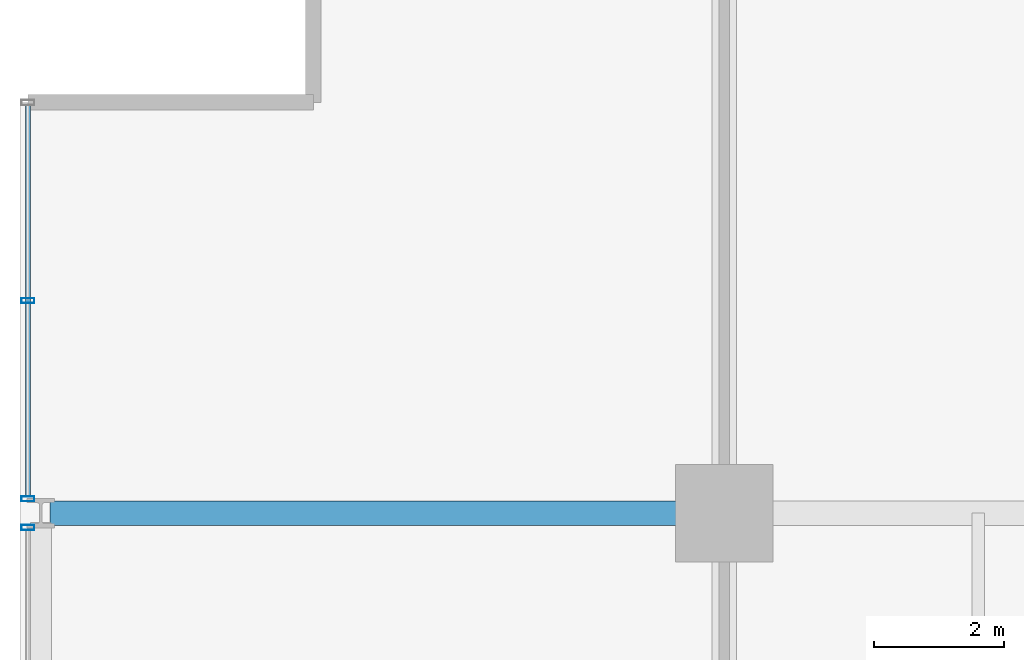
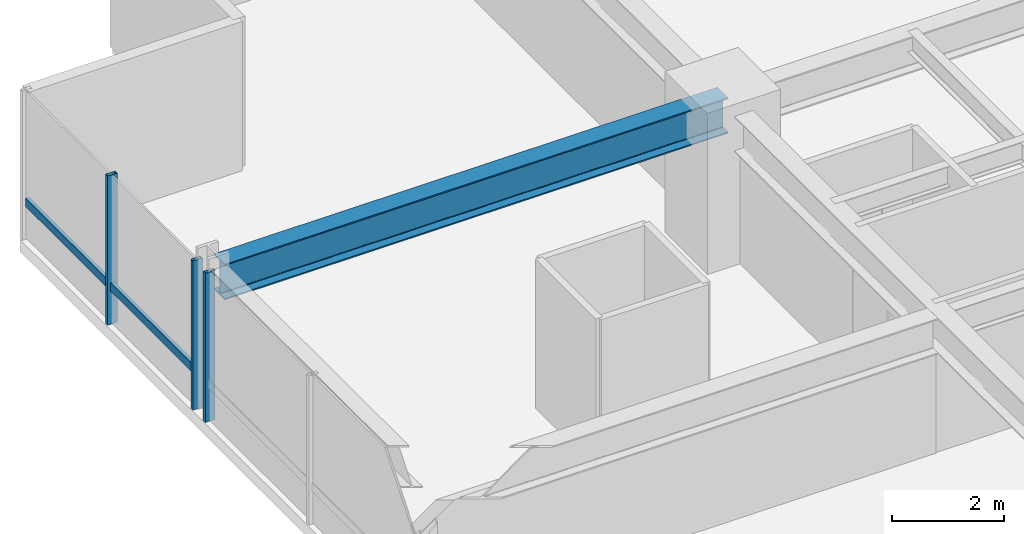
# One storey, part 18 of 34: 4 members, 1 beam, 2 elements without a shape of their own.
"""IFC4 building model written with IfcOpenShell, lengths in metres."""

import ifcopenshell
import ifcopenshell.guid

model = None  # the IFC model being written
_history = None  # IfcOwnerHistory: only IFC2X3 demands one
_inside = {}  # id of a spatial element -> (the spatial element, [elements in it])
_under = {}  # id of a project, library or spatial element -> (it, [spatial elements below it])
_declared = {}  # id of a project -> (the project, [libraries it declares])
_typed = {}  # id of a type object -> (the type object, [elements of that type])
_made_of = {}  # id of a material, layer set ... -> (it, [elements and type objects made of it])


def new_model(schema):
    """Start an empty IFC model of exactly this schema.

    Asked for "IFC4X3", IfcOpenShell would pick the latest addendum, in which some entities
    have other attributes; the version numbers below select the first issue.
    IFC2X3 requires an IfcOwnerHistory on every rooted entity: one is made here for all.
    """
    global model, _history
    if schema == "IFC4X3":
        model = ifcopenshell.file(schema_version=(4, 3, 0, 0))
    else:
        model = ifcopenshell.file(schema=schema)
    _inside.clear()
    _under.clear()
    _declared.clear()
    _typed.clear()
    _made_of.clear()
    _history = None
    if model.schema == "IFC2X3":
        org = make("IfcOrganization", Name="unknown")
        user = make(
            "IfcPersonAndOrganization",
            ThePerson=make("IfcPerson", FamilyName="unknown"),
            TheOrganization=org,
        )
        app = make(
            "IfcApplication",
            ApplicationDeveloper=org,
            Version="unknown",
            ApplicationFullName="unknown",
            ApplicationIdentifier="unknown",
        )
        _history = make(
            "IfcOwnerHistory",
            OwningUser=user,
            OwningApplication=app,
            ChangeAction="ADDED",
            CreationDate=0,
        )
    return model


def make(cls, **values):
    """One entity of the class cls with the attributes given. An attribute that is None is left unset."""
    return model.create_entity(
        cls, **{name: value for name, value in values.items() if value is not None}
    )


def rooted(cls, **values):
    """An entity with a GlobalId (a new one), such as an element, a storey or a relation."""
    return make(cls, GlobalId=ifcopenshell.guid.new(), OwnerHistory=_history, **values)


def si_unit(unit_type, name, prefix=None):
    """IfcSIUnit, for example si_unit("LENGTHUNIT", "METRE", prefix="MILLI")."""
    return make("IfcSIUnit", UnitType=unit_type, Prefix=prefix, Name=name)


def assignment(units):
    """IfcUnitAssignment: the units of a project."""
    return None if units is None else make("IfcUnitAssignment", Units=units)


def point(xyz):
    """IfcCartesianPoint."""
    return None if xyz is None else make("IfcCartesianPoint", Coordinates=xyz)


def direction(xyz):
    """IfcDirection."""
    return None if xyz is None else make("IfcDirection", DirectionRatios=xyz)


def frame(location, z_axis=None, x_axis=None):
    """IfcAxis2Placement3D, a coordinate frame: its origin and axes. An axis left out is left unset."""
    return make(
        "IfcAxis2Placement3D",
        Location=point(location),
        Axis=direction(z_axis),
        RefDirection=direction(x_axis),
    )


def frame_2d(location, x_axis=None):
    """IfcAxis2Placement2D, a coordinate frame in the plane: its origin and x axis."""
    return make(
        "IfcAxis2Placement2D", Location=point(location), RefDirection=direction(x_axis)
    )


def origin():
    """The frame at (0, 0, 0) with its axes left unset."""
    return frame((0.0, 0.0, 0.0))


def origin_2d():
    """The frame at (0, 0) in the plane with its x axis left unset."""
    return frame_2d((0.0, 0.0))


def place(relative_to, where):
    """IfcLocalPlacement: puts the frame where relative to a parent placement (None: the world)."""
    return make(
        "IfcLocalPlacement", PlacementRelTo=relative_to, RelativePlacement=where
    )


def context(
    kind, dimensions, precision=None, world=None, true_north=None, identifier=None
):
    """IfcGeometricRepresentationContext, for example the 3D "Model" context."""
    return make(
        "IfcGeometricRepresentationContext",
        ContextIdentifier=identifier,
        ContextType=kind,
        CoordinateSpaceDimension=dimensions,
        Precision=precision,
        WorldCoordinateSystem=world,
        TrueNorth=true_north,
    )


def subcontext(parent, identifier, kind, view, scale=None):
    """IfcGeometricRepresentationSubContext, for example "Body" below "Model"."""
    return make(
        "IfcGeometricRepresentationSubContext",
        ContextIdentifier=identifier,
        ContextType=kind,
        ParentContext=parent,
        TargetScale=scale,
        TargetView=view,
    )


def project(units=None, contexts=None):
    """IfcProject with its units and contexts."""
    return rooted(
        "IfcProject",
        Name="project",
        RepresentationContexts=contexts,
        UnitsInContext=assignment(units),
    )


def spatial(cls, under=None, at=None, **own):
    """A site, building, storey or space (cls), placed at a placement, below another one or the project."""
    s = rooted(cls, ObjectPlacement=at, **own)
    if under is not None:
        _under.setdefault(under.id(), (under, []))[1].append(s)
    return s


def profile(cls, at=None, kind="AREA", **sizes):
    """A parametric profile (cls). Its sizes go by their IFC names, for example OverallWidth=200.0."""
    return make(cls, ProfileType=kind, Position=at, **sizes)


def hollow_rectangle(**sizes):
    """IfcRectangleHollowProfileDef."""
    return profile("IfcRectangleHollowProfileDef", **sizes)


def i_section(**sizes):
    """IfcIShapeProfileDef."""
    return profile("IfcIShapeProfileDef", **sizes)


def extrude(swept, where, along, depth):
    """IfcExtrudedAreaSolid: the profile swept, set in the frame where, extruded along a direction by depth."""
    return make(
        "IfcExtrudedAreaSolid",
        SweptArea=swept,
        Position=where,
        ExtrudedDirection=direction(along),
        Depth=depth,
    )


def shape(context_of_items, identifier, shape_type, items):
    """IfcShapeRepresentation: the items that make up one representation, for example the "Body"."""
    return make(
        "IfcShapeRepresentation",
        ContextOfItems=context_of_items,
        RepresentationIdentifier=identifier,
        RepresentationType=shape_type,
        Items=items,
    )


def material(Name=None, Category=None):
    """IfcMaterial."""
    return make("IfcMaterial", Name=Name, Category=Category)


def layer(
    of_material, thickness, ventilated=None, Name=None, Category=None, Priority=None
):
    """IfcMaterialLayer: one layer of a wall or slab, of a material (None: an air gap)."""
    return make(
        "IfcMaterialLayer",
        Material=of_material,
        LayerThickness=thickness,
        IsVentilated=ventilated,
        Name=Name,
        Category=Category,
        Priority=Priority,
    )


def layer_set(layers, Name=None):
    """IfcMaterialLayerSet."""
    return make("IfcMaterialLayerSet", MaterialLayers=layers, LayerSetName=Name)


def material_profile(
    of_material, cross_section, Name=None, Category=None, Priority=None
):
    """IfcMaterialProfile: a cross section and its material."""
    return make(
        "IfcMaterialProfile",
        Name=Name,
        Material=of_material,
        Profile=cross_section,
        Priority=Priority,
        Category=Category,
    )


def profile_set(profiles, Name=None, composite=None):
    """IfcMaterialProfileSet."""
    return make(
        "IfcMaterialProfileSet",
        Name=Name,
        MaterialProfiles=profiles,
        CompositeProfile=composite,
    )


def made_of(thing, what):
    """Note that an element or type object is made of a material, layer set ...; save() writes the relation."""
    if what is not None:
        _made_of.setdefault(what.id(), (what, []))[1].append(thing)
    return thing


def type_object(cls, material=None, **own):
    """A type object (cls), such as IfcWallType, which elements share."""
    return made_of(rooted(cls, **own), material)


def element(
    cls,
    number,
    at=None,
    inside=None,
    cuts=None,
    type_object=None,
    material=None,
    context=None,
    identifier="Body",
    shape_type=None,
    held_by="IfcProductDefinitionShape",
    body=None,
    shapes=None,
    **own,
):
    """One element of the class cls, such as IfcWall. Its Tag is "e" and its number.

    at: its placement. inside: the storey or other place that contains it. cuts: it is an
    opening in that element (IfcRelVoidsElement). A single representation is given by context,
    identifier, shape_type and body (its items); several are given by shapes. held_by: the class
    of the entity that holds the representations. save() writes the other relations.
    """
    e = rooted(cls, Tag="e%d" % number, ObjectPlacement=at, **own)
    if body is not None:
        shapes = [shape(context, identifier, shape_type, body)]
    if shapes is not None:
        e.Representation = make(held_by, Representations=shapes)
    if inside is not None:
        _inside.setdefault(inside.id(), (inside, []))[1].append(e)
    if cuts is not None:
        rooted(
            "IfcRelVoidsElement", RelatingBuildingElement=cuts, RelatedOpeningElement=e
        )
    if type_object is not None:
        _typed.setdefault(type_object.id(), (type_object, []))[1].append(e)
    return made_of(e, material)


def aggregate(whole, parts):
    """IfcRelAggregates: a whole, such as a stair, and the parts it consists of."""
    return rooted("IfcRelAggregates", RelatingObject=whole, RelatedObjects=parts)


def save(model, path):
    """Write the relations noted so far, then the file.

    IfcRelAggregates (storeys below a building ...), IfcRelContainedInSpatialStructure (elements
    in a storey), IfcRelDefinesByType, IfcRelAssociatesMaterial and IfcRelDeclares: one each for
    every whole, place, type object, material and project.
    """
    for whole, parts in _under.values():
        aggregate(whole, parts)
    for where, things in _inside.values():
        rooted(
            "IfcRelContainedInSpatialStructure",
            RelatedElements=things,
            RelatingStructure=where,
        )
    for kind, things in _typed.values():
        rooted("IfcRelDefinesByType", RelatedObjects=things, RelatingType=kind)
    for what, things in _made_of.values():
        rooted("IfcRelAssociatesMaterial", RelatedObjects=things, RelatingMaterial=what)
    for by, libraries in _declared.values():
        rooted("IfcRelDeclares", RelatingContext=by, RelatedDefinitions=libraries)
    model.write(path)


model = new_model("IFC4")

# Units and contexts
model_context = context("Model", 3, precision=1e-05, world=origin(), true_north=direction((0.0, 1.0)))
body_context = subcontext(model_context, "Body", "Model", "MODEL_VIEW")
ifc_project = project(units=[si_unit("LENGTHUNIT", "METRE"), si_unit("AREAUNIT", "SQUARE_METRE"), si_unit("VOLUMEUNIT", "CUBIC_METRE"), si_unit("PLANEANGLEUNIT", "RADIAN"), si_unit("MASSUNIT", "GRAM", prefix="KILO")], contexts=[model_context])

# Site, building, storey
site_placement = place(None, origin())
site = spatial("IfcSite", under=ifc_project, at=site_placement, CompositionType="ELEMENT")
building_placement = place(site_placement, origin())
building = spatial("IfcBuilding", under=site, at=building_placement, Name="Drelvath Grand Hotel", CompositionType="ELEMENT")
storey_placement = place(building_placement, frame((0.0, 0.0, 116.300048828125)))
storey = spatial("IfcBuildingStorey", under=building, at=storey_placement, Name="L29", CompositionType="ELEMENT", Elevation=116.300048828125)

# Curtain wall, member
ifc_material_1 = material(Name="Champagne Bronze Anodised Aluminium Frame", Category="aluminium")
ifc_layer = layer(ifc_material_1, 0.199951171875)
ifc_layer_set = layer_set([ifc_layer], Name="Champagne Bronze Anodised Aluminium Frame")
curtain_wall_type = type_object("IfcCurtainWallType", Name="Stick Curtain Wall CW-03 Champagne Bronze Mid-Rise", PredefinedType="NOTDEFINED", material=ifc_layer_set)
curtain_wall_1_placement = place(storey_placement, origin())
curtain_wall_1 = element("IfcCurtainWall", 1, at=curtain_wall_1_placement, inside=storey, type_object=curtain_wall_type, Name="L29 CW-03 Curtain Wall CW03-L29-WN3", PredefinedType="NOTDEFINED")
ifc_material_profile_1 = material_profile(ifc_material_1, hollow_rectangle(XDim=0.074951171875, YDim=0.179931640625, WallThickness=0.0048828125, at=origin_2d()), Name="HSS180X75X5")
ifc_profile_set_1 = profile_set([ifc_material_profile_1], Name="Champagne Bronze Anodised Aluminium Frame")
member_type_1 = type_object("IfcMemberType", Name="Curtain Wall Horizontal Transom CW-03 HSS180X75X5", PredefinedType="USERDEFINED", material=ifc_profile_set_1)
member_1_placement = place(storey_placement, frame((-26.8798828125, 43.459716796875, 0.81005859375), z_axis=(0.0, 1.0, 0.0), x_axis=(-1.0, 0.0, 0.0)))
member_1 = element("IfcMember", 2, at=member_1_placement, type_object=member_type_1, Name="CW03-L29-WN3 Sill Transom", ObjectType="TRANSOM", PredefinedType="USERDEFINED", context=body_context, shape_type="SweptSolid", body=[
    extrude(hollow_rectangle(XDim=0.074951171875, YDim=0.179931640625, WallThickness=0.0048828125, at=origin_2d()), origin(), (0.0, 0.0, 1.0), 6.000244140625),
])

curtain_wall_2_placement = place(storey_placement, origin())
curtain_wall_2 = element("IfcCurtainWall", 3, at=curtain_wall_2_placement, inside=storey, type_object=curtain_wall_type, Name="L29 CW-03 Curtain Wall CW03-L29-WN2", PredefinedType="NOTDEFINED")
ifc_material_profile_2 = material_profile(ifc_material_1, hollow_rectangle(XDim=0.080078125, YDim=0.199951171875, WallThickness=0.0048828125, at=origin_2d()), Name="HSS200X80X5")
ifc_profile_set_2 = profile_set([ifc_material_profile_2], Name="Champagne Bronze Anodised Aluminium Frame")
member_type_2 = type_object("IfcMemberType", Name="Curtain Wall Vertical Mullion CW-03 HSS200X80X5", PredefinedType="MULLION", material=ifc_profile_set_2)
member_2_placement = place(storey_placement, frame((-26.8798828125, 42.98046875, 0.0), z_axis=(0.0, 0.0, 1.0), x_axis=(0.0, 1.0, 0.0)))
member_2 = element("IfcMember", 4, at=member_2_placement, type_object=member_type_2, Name="CW03-L29-WN2 Mullion 3", PredefinedType="MULLION", context=body_context, shape_type="SweptSolid", body=[
    extrude(hollow_rectangle(XDim=0.080078125, YDim=0.199951171875, WallThickness=0.0048828125, at=origin_2d()), origin(), (0.0, 0.0, 1.0), 3.239990234375),
])
aggregate(curtain_wall_2, [member_2])

# Member
member_3_placement = place(storey_placement, frame((-26.8798828125, 43.419677734375, 0.0), z_axis=(0.0, 0.0, 1.0), x_axis=(0.0, 1.0, 0.0)))
member_3 = element("IfcMember", 5, at=member_3_placement, type_object=member_type_2, Name="CW03-L29-WN3 Mullion 1", PredefinedType="MULLION", context=body_context, shape_type="SweptSolid", body=[
    extrude(hollow_rectangle(XDim=0.080078125, YDim=0.199951171875, WallThickness=0.0048828125, at=origin_2d()), origin(), (0.0, 0.0, 1.0), 3.239990234375),
])

member_4_placement = place(storey_placement, frame((-26.8798828125, 46.459716796875, 0.0), z_axis=(0.0, 0.0, 1.0), x_axis=(0.0, 1.0, 0.0)))
member_4 = element("IfcMember", 6, at=member_4_placement, type_object=member_type_2, Name="CW03-L29-WN3 Mullion 2", PredefinedType="MULLION", context=body_context, shape_type="SweptSolid", body=[
    extrude(hollow_rectangle(XDim=0.080078125, YDim=0.199951171875, WallThickness=0.0048828125, at=origin_2d()), origin(), (0.0, 0.0, 1.0), 3.239990234375),
])

aggregate(curtain_wall_1, [member_3, member_4, member_1])

# Beam
ifc_material_2 = material(Name="Steel ASTM A992 Gr 50", Category="steel")
ifc_material_profile_3 = material_profile(ifc_material_2, i_section(OverallWidth=0.380615234375, OverallDepth=0.773193359375, WebThickness=0.0166015625, FlangeThickness=0.027099609375, FilletRadius=0.02490234375, at=origin_2d()), Name="W30X173")
ifc_profile_set_3 = profile_set([ifc_material_profile_3], Name="Steel ASTM A992 Gr 50")
beam_type = type_object("IfcBeamType", Name="Primary Floor Girder W30X173", PredefinedType="BEAM", material=ifc_profile_set_3)
beam_placement = place(storey_placement, frame((-26.5400390625, 43.199951171875, 2.853271484375), z_axis=(1.0, 0.0, 0.0), x_axis=(0.0, 1.0, 0.0)))
element("IfcBeam", 7, at=beam_placement, inside=storey, type_object=beam_type, Name="L29 West Grid Girder G", PredefinedType="BEAM", context=body_context, shape_type="SweptSolid", body=[
    extrude(i_section(OverallWidth=0.380615234375, OverallDepth=0.773193359375, WebThickness=0.0166015625, FlangeThickness=0.027099609375, FilletRadius=0.02490234375, at=origin_2d()), origin(), (0.0, 0.0, 1.0), 10.340087890625),
])

save(model, "model.ifc")
